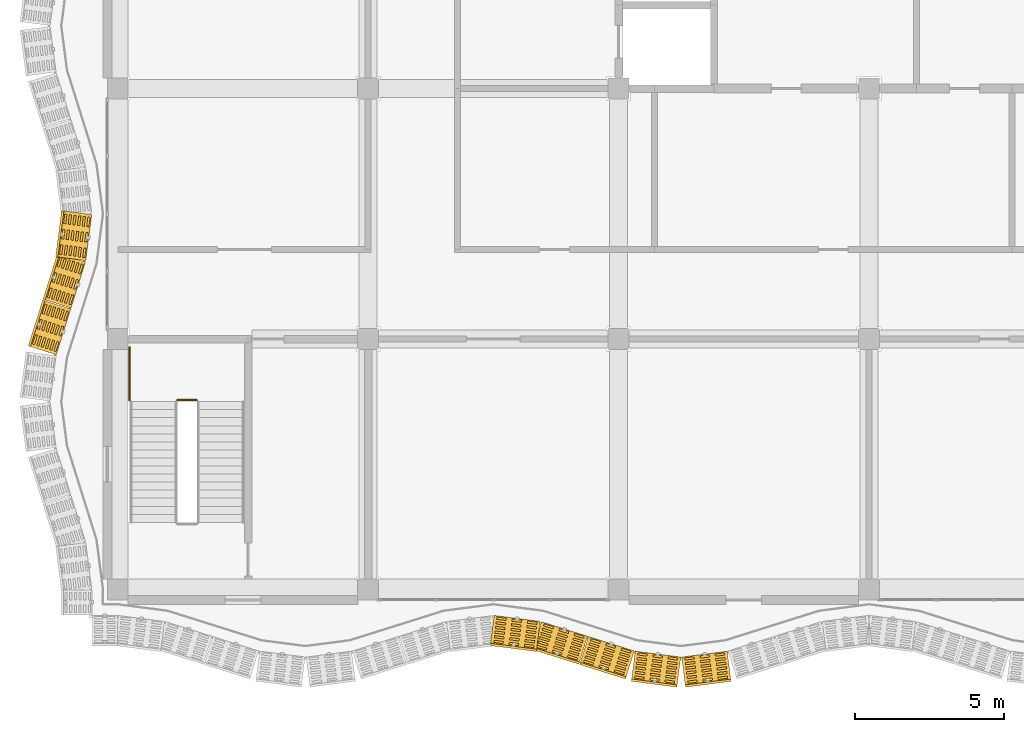
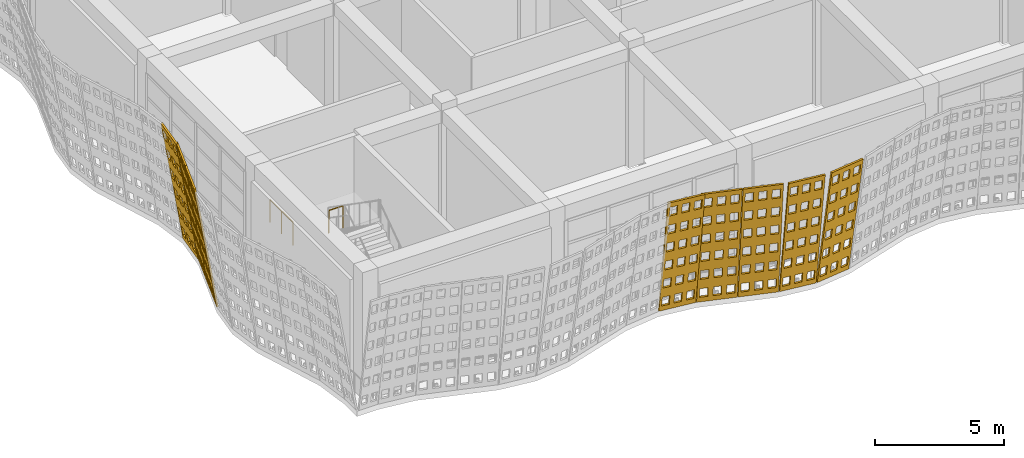
# One storey, part 150 of 210: 8 coverings, 2 railings.
"""IFC4 building model written with IfcOpenShell, lengths in metres."""

from ifc_helpers import new_model, si_unit, direction, frame, origin, origin_2d, place, context, subcontext, project, spatial, polyline, circle, outline, extrude, material, layer, layer_set, type_object, element, save


model = new_model("IFC4")

# Units and contexts
model_context = context("Model", 3, precision=1e-05, world=origin(), true_north=direction((0.0, 1.0)))
body_context = subcontext(model_context, "Body", "Model", "MODEL_VIEW")
ifc_project = project(units=[si_unit("LENGTHUNIT", "METRE"), si_unit("AREAUNIT", "SQUARE_METRE"), si_unit("VOLUMEUNIT", "CUBIC_METRE"), si_unit("PLANEANGLEUNIT", "RADIAN"), si_unit("MASSUNIT", "GRAM", prefix="KILO")], contexts=[model_context])

# Site, building, storey
site_placement = place(None, origin())
site = spatial("IfcSite", under=ifc_project, at=site_placement, CompositionType="ELEMENT")
building_placement = place(site_placement, origin())
building = spatial("IfcBuilding", under=site, at=building_placement, Name="Rain Tree Exposition and Congress Centre", CompositionType="ELEMENT")
storey_placement = place(building_placement, origin())
storey = spatial("IfcBuildingStorey", under=building, at=storey_placement, Name="L00", CompositionType="ELEMENT", Elevation=0.0)

# Coverings
ifc_material_1 = material(Name="Perforated terracotta", Category="masonry")
ifc_layer = layer(ifc_material_1, 0.080078125)
ifc_layer_set = layer_set([ifc_layer], Name="Perforated terracotta")
covering_type = type_object("IfcCoveringType", Name="Terracotta screen 80", PredefinedType="CLADDING", material=ifc_layer_set)
covering_1_placement = place(storey_placement, frame((12.60009765625, -0.949951171875, 0.0), z_axis=(0.125030801275, 0.978899688033, 0.161625182136), x_axis=(-0.991941518713, 0.126696580272, 0.0)))
element("IfcCovering", 1, at=covering_1_placement, inside=storey, type_object=covering_type, Name="wing/screen/L00/009", PredefinedType="CLADDING", context=body_context, shape_type="SweptSolid", body=[
    extrude(outline(polyline([(-1.5732421875, 0.0), (-1.5732421875, 5.813720703125), (-0.014892578125, 5.813720703125), (-0.014892578125, 0.0), (-1.5732421875, 0.0)]), holes=[polyline([(-0.11376953125, 0.25), (-0.11376953125, 0.718994140625), (-0.435791015625, 0.718994140625), (-0.435791015625, 0.25), (-0.11376953125, 0.25)]), polyline([(-0.11376953125, 1.218994140625), (-0.11376953125, 1.687744140625), (-0.435791015625, 1.687744140625), (-0.435791015625, 1.218994140625), (-0.11376953125, 1.218994140625)]), polyline([(-0.11376953125, 2.18798828125), (-0.11376953125, 2.65673828125), (-0.435791015625, 2.65673828125), (-0.435791015625, 2.18798828125), (-0.11376953125, 2.18798828125)]), polyline([(-0.11376953125, 3.15673828125), (-0.11376953125, 3.625732421875), (-0.435791015625, 3.625732421875), (-0.435791015625, 3.15673828125), (-0.11376953125, 3.15673828125)]), polyline([(-0.11376953125, 4.125732421875), (-0.11376953125, 4.594482421875), (-0.435791015625, 4.594482421875), (-0.435791015625, 4.125732421875), (-0.11376953125, 4.125732421875)]), polyline([(-0.11376953125, 5.0947265625), (-0.11376953125, 5.5634765625), (-0.435791015625, 5.5634765625), (-0.435791015625, 5.0947265625), (-0.11376953125, 5.0947265625)]), polyline([(-0.633056640625, 0.25), (-0.633056640625, 0.718994140625), (-0.955078125, 0.718994140625), (-0.955078125, 0.25), (-0.633056640625, 0.25)]), polyline([(-0.633056640625, 1.218994140625), (-0.633056640625, 1.687744140625), (-0.955078125, 1.687744140625), (-0.955078125, 1.218994140625), (-0.633056640625, 1.218994140625)]), polyline([(-0.633056640625, 2.18798828125), (-0.633056640625, 2.65673828125), (-0.955078125, 2.65673828125), (-0.955078125, 2.18798828125), (-0.633056640625, 2.18798828125)]), polyline([(-0.633056640625, 3.15673828125), (-0.633056640625, 3.625732421875), (-0.955078125, 3.625732421875), (-0.955078125, 3.15673828125), (-0.633056640625, 3.15673828125)]), polyline([(-0.633056640625, 4.125732421875), (-0.633056640625, 4.594482421875), (-0.955078125, 4.594482421875), (-0.955078125, 4.125732421875), (-0.633056640625, 4.125732421875)]), polyline([(-0.633056640625, 5.0947265625), (-0.633056640625, 5.5634765625), (-0.955078125, 5.5634765625), (-0.955078125, 5.0947265625), (-0.633056640625, 5.0947265625)]), polyline([(-1.152587890625, 0.25), (-1.152587890625, 0.718994140625), (-1.474609375, 0.718994140625), (-1.474609375, 0.25), (-1.152587890625, 0.25)]), polyline([(-1.152587890625, 1.218994140625), (-1.152587890625, 1.687744140625), (-1.474609375, 1.687744140625), (-1.474609375, 1.218994140625), (-1.152587890625, 1.218994140625)]), polyline([(-1.152587890625, 2.18798828125), (-1.152587890625, 2.65673828125), (-1.474609375, 2.65673828125), (-1.474609375, 2.18798828125), (-1.152587890625, 2.18798828125)]), polyline([(-1.152587890625, 3.15673828125), (-1.152587890625, 3.625732421875), (-1.474609375, 3.625732421875), (-1.474609375, 3.15673828125), (-1.152587890625, 3.15673828125)]), polyline([(-1.152587890625, 4.125732421875), (-1.152587890625, 4.594482421875), (-1.474609375, 4.594482421875), (-1.474609375, 4.125732421875), (-1.152587890625, 4.125732421875)]), polyline([(-1.152587890625, 5.0947265625), (-1.152587890625, 5.5634765625), (-1.474609375, 5.5634765625), (-1.474609375, 5.0947265625), (-1.152587890625, 5.0947265625)])]), origin(), (0.0, 0.0, 1.0), 0.080078125),
])
covering_2_placement = place(storey_placement, frame((14.175048828125, -1.155029296875, 0.0), z_axis=(0.295859611525, 0.942480618158, 0.155555053482), x_axis=(-0.954094597562, 0.29950542383, 0.0)))
element("IfcCovering", 2, at=covering_2_placement, inside=storey, type_object=covering_type, Name="wing/screen/L00/010", PredefinedType="CLADDING", context=body_context, shape_type="SweptSolid", body=[
    extrude(outline(polyline([(-1.635986328125, 0.0), (-1.635986328125, 5.808349609375), (-0.014892578125, 5.808349609375), (-0.014892578125, 0.0), (-1.635986328125, 0.0)]), holes=[polyline([(-0.11767578125, 0.249755859375), (-0.11767578125, 0.71826171875), (-0.45263671875, 0.71826171875), (-0.45263671875, 0.249755859375), (-0.11767578125, 0.249755859375)]), polyline([(-0.11767578125, 1.218017578125), (-0.11767578125, 1.686279296875), (-0.45263671875, 1.686279296875), (-0.45263671875, 1.218017578125), (-0.11767578125, 1.218017578125)]), polyline([(-0.11767578125, 2.18603515625), (-0.11767578125, 2.654296875), (-0.45263671875, 2.654296875), (-0.45263671875, 2.18603515625), (-0.11767578125, 2.18603515625)]), polyline([(-0.11767578125, 3.154052734375), (-0.11767578125, 3.62255859375), (-0.45263671875, 3.62255859375), (-0.45263671875, 3.154052734375), (-0.11767578125, 3.154052734375)]), polyline([(-0.11767578125, 4.1220703125), (-0.11767578125, 4.590576171875), (-0.45263671875, 4.590576171875), (-0.45263671875, 4.1220703125), (-0.11767578125, 4.1220703125)]), polyline([(-0.11767578125, 5.090087890625), (-0.11767578125, 5.55859375), (-0.45263671875, 5.55859375), (-0.45263671875, 5.090087890625), (-0.11767578125, 5.090087890625)]), polyline([(-0.657958984375, 0.249755859375), (-0.657958984375, 0.71826171875), (-0.992919921875, 0.71826171875), (-0.992919921875, 0.249755859375), (-0.657958984375, 0.249755859375)]), polyline([(-0.657958984375, 1.218017578125), (-0.657958984375, 1.686279296875), (-0.992919921875, 1.686279296875), (-0.992919921875, 1.218017578125), (-0.657958984375, 1.218017578125)]), polyline([(-0.657958984375, 2.18603515625), (-0.657958984375, 2.654296875), (-0.992919921875, 2.654296875), (-0.992919921875, 2.18603515625), (-0.657958984375, 2.18603515625)]), polyline([(-0.657958984375, 3.154052734375), (-0.657958984375, 3.62255859375), (-0.992919921875, 3.62255859375), (-0.992919921875, 3.154052734375), (-0.657958984375, 3.154052734375)]), polyline([(-0.657958984375, 4.1220703125), (-0.657958984375, 4.590576171875), (-0.992919921875, 4.590576171875), (-0.992919921875, 4.1220703125), (-0.657958984375, 4.1220703125)]), polyline([(-0.657958984375, 5.090087890625), (-0.657958984375, 5.55859375), (-0.992919921875, 5.55859375), (-0.992919921875, 5.090087890625), (-0.657958984375, 5.090087890625)]), polyline([(-1.1982421875, 0.249755859375), (-1.1982421875, 0.71826171875), (-1.533203125, 0.71826171875), (-1.533203125, 0.249755859375), (-1.1982421875, 0.249755859375)]), polyline([(-1.1982421875, 1.218017578125), (-1.1982421875, 1.686279296875), (-1.533203125, 1.686279296875), (-1.533203125, 1.218017578125), (-1.1982421875, 1.218017578125)]), polyline([(-1.1982421875, 2.18603515625), (-1.1982421875, 2.654296875), (-1.533203125, 2.654296875), (-1.533203125, 2.18603515625), (-1.1982421875, 2.18603515625)]), polyline([(-1.1982421875, 3.154052734375), (-1.1982421875, 3.62255859375), (-1.533203125, 3.62255859375), (-1.533203125, 3.154052734375), (-1.1982421875, 3.154052734375)]), polyline([(-1.1982421875, 4.1220703125), (-1.1982421875, 4.590576171875), (-1.533203125, 4.590576171875), (-1.533203125, 4.1220703125), (-1.1982421875, 4.1220703125)]), polyline([(-1.1982421875, 5.090087890625), (-1.1982421875, 5.55859375), (-1.533203125, 5.55859375), (-1.533203125, 5.090087890625), (-1.1982421875, 5.090087890625)])]), origin(), (0.0, 0.0, 1.0), 0.080078125),
])
covering_3_placement = place(storey_placement, frame((15.75, -1.64990234375, 0.0), z_axis=(0.296712403937, 0.94213835477, 0.156003428874), x_axis=(-0.953816392794, 0.300390227601, 0.0)))
element("IfcCovering", 3, at=covering_3_placement, inside=storey, type_object=covering_type, Name="wing/screen/L00/011", PredefinedType="CLADDING", context=body_context, shape_type="SweptSolid", body=[
    extrude(outline(polyline([(-1.62890625, 0.0), (-1.62890625, 5.808349609375), (-0.014892578125, 5.808349609375), (-0.014892578125, 0.0), (-1.62890625, 0.0)]), holes=[polyline([(-0.1171875, 0.249755859375), (-0.1171875, 0.71826171875), (-0.45068359375, 0.71826171875), (-0.45068359375, 0.249755859375), (-0.1171875, 0.249755859375)]), polyline([(-0.1171875, 1.218017578125), (-0.1171875, 1.686279296875), (-0.45068359375, 1.686279296875), (-0.45068359375, 1.218017578125), (-0.1171875, 1.218017578125)]), polyline([(-0.1171875, 2.18603515625), (-0.1171875, 2.654296875), (-0.45068359375, 2.654296875), (-0.45068359375, 2.18603515625), (-0.1171875, 2.18603515625)]), polyline([(-0.1171875, 3.154052734375), (-0.1171875, 3.62255859375), (-0.45068359375, 3.62255859375), (-0.45068359375, 3.154052734375), (-0.1171875, 3.154052734375)]), polyline([(-0.1171875, 4.1220703125), (-0.1171875, 4.590576171875), (-0.45068359375, 4.590576171875), (-0.45068359375, 4.1220703125), (-0.1171875, 4.1220703125)]), polyline([(-0.1171875, 5.090087890625), (-0.1171875, 5.55859375), (-0.45068359375, 5.55859375), (-0.45068359375, 5.090087890625), (-0.1171875, 5.090087890625)]), polyline([(-0.6552734375, 0.249755859375), (-0.6552734375, 0.71826171875), (-0.98876953125, 0.71826171875), (-0.98876953125, 0.249755859375), (-0.6552734375, 0.249755859375)]), polyline([(-0.6552734375, 1.218017578125), (-0.6552734375, 1.686279296875), (-0.98876953125, 1.686279296875), (-0.98876953125, 1.218017578125), (-0.6552734375, 1.218017578125)]), polyline([(-0.6552734375, 2.18603515625), (-0.6552734375, 2.654296875), (-0.98876953125, 2.654296875), (-0.98876953125, 2.18603515625), (-0.6552734375, 2.18603515625)]), polyline([(-0.6552734375, 3.154052734375), (-0.6552734375, 3.62255859375), (-0.98876953125, 3.62255859375), (-0.98876953125, 3.154052734375), (-0.6552734375, 3.154052734375)]), polyline([(-0.6552734375, 4.1220703125), (-0.6552734375, 4.590576171875), (-0.98876953125, 4.590576171875), (-0.98876953125, 4.1220703125), (-0.6552734375, 4.1220703125)]), polyline([(-0.6552734375, 5.090087890625), (-0.6552734375, 5.55859375), (-0.98876953125, 5.55859375), (-0.98876953125, 5.090087890625), (-0.6552734375, 5.090087890625)]), polyline([(-1.193115234375, 0.249755859375), (-1.193115234375, 0.71826171875), (-1.526611328125, 0.71826171875), (-1.526611328125, 0.249755859375), (-1.193115234375, 0.249755859375)]), polyline([(-1.193115234375, 1.218017578125), (-1.193115234375, 1.686279296875), (-1.526611328125, 1.686279296875), (-1.526611328125, 1.218017578125), (-1.193115234375, 1.218017578125)]), polyline([(-1.193115234375, 2.18603515625), (-1.193115234375, 2.654296875), (-1.526611328125, 2.654296875), (-1.526611328125, 2.18603515625), (-1.193115234375, 2.18603515625)]), polyline([(-1.193115234375, 3.154052734375), (-1.193115234375, 3.62255859375), (-1.526611328125, 3.62255859375), (-1.526611328125, 3.154052734375), (-1.193115234375, 3.154052734375)]), polyline([(-1.193115234375, 4.1220703125), (-1.193115234375, 4.590576171875), (-1.526611328125, 4.590576171875), (-1.526611328125, 4.1220703125), (-1.193115234375, 4.1220703125)]), polyline([(-1.193115234375, 5.090087890625), (-1.193115234375, 5.55859375), (-1.526611328125, 5.55859375), (-1.526611328125, 5.090087890625), (-1.193115234375, 5.090087890625)])]), origin(), (0.0, 0.0, 1.0), 0.079833984375),
])
covering_4_placement = place(storey_placement, frame((17.324951171875, -2.14501953125, 0.0), z_axis=(0.1280309309, 0.978522114732, 0.161562841373), x_axis=(-0.991548658387, 0.129735338481, 0.0)))
element("IfcCovering", 4, at=covering_4_placement, inside=storey, type_object=covering_type, Name="wing/screen/L00/012", PredefinedType="CLADDING", context=body_context, shape_type="SweptSolid", body=[
    extrude(outline(polyline([(-1.56298828125, 0.0), (-1.56298828125, 5.813720703125), (-0.02197265625, 5.813720703125), (-0.02197265625, 0.0), (-1.56298828125, 0.0)]), holes=[polyline([(-0.11962890625, 0.25), (-0.11962890625, 0.718994140625), (-0.43798828125, 0.718994140625), (-0.43798828125, 0.25), (-0.11962890625, 0.25)]), polyline([(-0.11962890625, 1.218994140625), (-0.11962890625, 1.687744140625), (-0.43798828125, 1.687744140625), (-0.43798828125, 1.218994140625), (-0.11962890625, 1.218994140625)]), polyline([(-0.11962890625, 2.18798828125), (-0.11962890625, 2.65673828125), (-0.43798828125, 2.65673828125), (-0.43798828125, 2.18798828125), (-0.11962890625, 2.18798828125)]), polyline([(-0.11962890625, 3.15673828125), (-0.11962890625, 3.625732421875), (-0.43798828125, 3.625732421875), (-0.43798828125, 3.15673828125), (-0.11962890625, 3.15673828125)]), polyline([(-0.11962890625, 4.125732421875), (-0.11962890625, 4.594482421875), (-0.43798828125, 4.594482421875), (-0.43798828125, 4.125732421875), (-0.11962890625, 4.125732421875)]), polyline([(-0.11962890625, 5.0947265625), (-0.11962890625, 5.5634765625), (-0.43798828125, 5.5634765625), (-0.43798828125, 5.0947265625), (-0.11962890625, 5.0947265625)]), polyline([(-0.63330078125, 0.25), (-0.63330078125, 0.718994140625), (-0.95166015625, 0.718994140625), (-0.95166015625, 0.25), (-0.63330078125, 0.25)]), polyline([(-0.63330078125, 1.218994140625), (-0.63330078125, 1.687744140625), (-0.95166015625, 1.687744140625), (-0.95166015625, 1.218994140625), (-0.63330078125, 1.218994140625)]), polyline([(-0.63330078125, 2.18798828125), (-0.63330078125, 2.65673828125), (-0.95166015625, 2.65673828125), (-0.95166015625, 2.18798828125), (-0.63330078125, 2.18798828125)]), polyline([(-0.63330078125, 3.15673828125), (-0.63330078125, 3.625732421875), (-0.95166015625, 3.625732421875), (-0.95166015625, 3.15673828125), (-0.63330078125, 3.15673828125)]), polyline([(-0.63330078125, 4.125732421875), (-0.63330078125, 4.594482421875), (-0.95166015625, 4.594482421875), (-0.95166015625, 4.125732421875), (-0.63330078125, 4.125732421875)]), polyline([(-0.63330078125, 5.0947265625), (-0.63330078125, 5.5634765625), (-0.95166015625, 5.5634765625), (-0.95166015625, 5.0947265625), (-0.63330078125, 5.0947265625)]), polyline([(-1.146728515625, 0.25), (-1.146728515625, 0.718994140625), (-1.46533203125, 0.718994140625), (-1.46533203125, 0.25), (-1.146728515625, 0.25)]), polyline([(-1.146728515625, 1.218994140625), (-1.146728515625, 1.687744140625), (-1.46533203125, 1.687744140625), (-1.46533203125, 1.218994140625), (-1.146728515625, 1.218994140625)]), polyline([(-1.146728515625, 2.18798828125), (-1.146728515625, 2.65673828125), (-1.46533203125, 2.65673828125), (-1.46533203125, 2.18798828125), (-1.146728515625, 2.18798828125)]), polyline([(-1.146728515625, 3.15673828125), (-1.146728515625, 3.625732421875), (-1.46533203125, 3.625732421875), (-1.46533203125, 3.15673828125), (-1.146728515625, 3.15673828125)]), polyline([(-1.146728515625, 4.125732421875), (-1.146728515625, 4.594482421875), (-1.46533203125, 4.594482421875), (-1.46533203125, 4.125732421875), (-1.146728515625, 4.125732421875)]), polyline([(-1.146728515625, 5.0947265625), (-1.146728515625, 5.5634765625), (-1.46533203125, 5.5634765625), (-1.46533203125, 5.0947265625), (-1.146728515625, 5.0947265625)])]), origin(), (0.0, 0.0, 1.0), 0.080078125),
])
covering_5_placement = place(storey_placement, frame((18.89990234375, -2.35009765625, 0.0), z_axis=(-0.125030801275, 0.978899688033, 0.161625182136), x_axis=(-0.991941518713, -0.126696580272, 0.0)))
element("IfcCovering", 5, at=covering_5_placement, inside=storey, type_object=covering_type, Name="wing/screen/L00/013", PredefinedType="CLADDING", context=body_context, shape_type="SweptSolid", body=[
    extrude(outline(polyline([(-1.56640625, 0.0), (-1.56640625, 5.813720703125), (-0.025390625, 5.813720703125), (-0.025390625, 0.0), (-1.56640625, 0.0)]), holes=[polyline([(-0.123046875, 0.25), (-0.123046875, 0.718994140625), (-0.44140625, 0.718994140625), (-0.44140625, 0.25), (-0.123046875, 0.25)]), polyline([(-0.123046875, 1.218994140625), (-0.123046875, 1.687744140625), (-0.44140625, 1.687744140625), (-0.44140625, 1.218994140625), (-0.123046875, 1.218994140625)]), polyline([(-0.123046875, 2.18798828125), (-0.123046875, 2.65673828125), (-0.44140625, 2.65673828125), (-0.44140625, 2.18798828125), (-0.123046875, 2.18798828125)]), polyline([(-0.123046875, 3.15673828125), (-0.123046875, 3.625732421875), (-0.44140625, 3.625732421875), (-0.44140625, 3.15673828125), (-0.123046875, 3.15673828125)]), polyline([(-0.123046875, 4.125732421875), (-0.123046875, 4.594482421875), (-0.44140625, 4.594482421875), (-0.44140625, 4.125732421875), (-0.123046875, 4.125732421875)]), polyline([(-0.123046875, 5.0947265625), (-0.123046875, 5.5634765625), (-0.44140625, 5.5634765625), (-0.44140625, 5.0947265625), (-0.123046875, 5.0947265625)]), polyline([(-0.63671875, 0.25), (-0.63671875, 0.718994140625), (-0.955078125, 0.718994140625), (-0.955078125, 0.25), (-0.63671875, 0.25)]), polyline([(-0.63671875, 1.218994140625), (-0.63671875, 1.687744140625), (-0.955078125, 1.687744140625), (-0.955078125, 1.218994140625), (-0.63671875, 1.218994140625)]), polyline([(-0.63671875, 2.18798828125), (-0.63671875, 2.65673828125), (-0.955078125, 2.65673828125), (-0.955078125, 2.18798828125), (-0.63671875, 2.18798828125)]), polyline([(-0.63671875, 3.15673828125), (-0.63671875, 3.625732421875), (-0.955078125, 3.625732421875), (-0.955078125, 3.15673828125), (-0.63671875, 3.15673828125)]), polyline([(-0.63671875, 4.125732421875), (-0.63671875, 4.594482421875), (-0.955078125, 4.594482421875), (-0.955078125, 4.125732421875), (-0.63671875, 4.125732421875)]), polyline([(-0.63671875, 5.0947265625), (-0.63671875, 5.5634765625), (-0.955078125, 5.5634765625), (-0.955078125, 5.0947265625), (-0.63671875, 5.0947265625)]), polyline([(-1.150146484375, 0.25), (-1.150146484375, 0.718994140625), (-1.46875, 0.718994140625), (-1.46875, 0.25), (-1.150146484375, 0.25)]), polyline([(-1.150146484375, 1.218994140625), (-1.150146484375, 1.687744140625), (-1.46875, 1.687744140625), (-1.46875, 1.218994140625), (-1.150146484375, 1.218994140625)]), polyline([(-1.150146484375, 2.18798828125), (-1.150146484375, 2.65673828125), (-1.46875, 2.65673828125), (-1.46875, 2.18798828125), (-1.150146484375, 2.18798828125)]), polyline([(-1.150146484375, 3.15673828125), (-1.150146484375, 3.625732421875), (-1.46875, 3.625732421875), (-1.46875, 3.15673828125), (-1.150146484375, 3.15673828125)]), polyline([(-1.150146484375, 4.125732421875), (-1.150146484375, 4.594482421875), (-1.46875, 4.594482421875), (-1.46875, 4.125732421875), (-1.150146484375, 4.125732421875)]), polyline([(-1.150146484375, 5.0947265625), (-1.150146484375, 5.5634765625), (-1.46875, 5.5634765625), (-1.46875, 5.0947265625), (-1.150146484375, 5.0947265625)])]), origin(), (0.0, 0.0, 1.0), 0.080078125),
])
covering_6_placement = place(storey_placement, frame((-0.949951171875, 12.60009765625, 0.0), z_axis=(0.978522114732, -0.1280309309, 0.161562841373), x_axis=(0.129735338481, 0.991548658387, 0.0)))
element("IfcCovering", 6, at=covering_6_placement, inside=storey, type_object=covering_type, Name="wing/screen/L00/127", PredefinedType="CLADDING", context=body_context, shape_type="SweptSolid", body=[
    extrude(outline(polyline([(-1.5732421875, 0.0), (-1.5732421875, 5.813720703125), (-0.014892578125, 5.813720703125), (-0.014892578125, 0.0), (-1.5732421875, 0.0)]), holes=[polyline([(-0.11376953125, 0.25), (-0.11376953125, 0.718994140625), (-0.435791015625, 0.718994140625), (-0.435791015625, 0.25), (-0.11376953125, 0.25)]), polyline([(-0.11376953125, 1.218994140625), (-0.11376953125, 1.687744140625), (-0.435791015625, 1.687744140625), (-0.435791015625, 1.218994140625), (-0.11376953125, 1.218994140625)]), polyline([(-0.11376953125, 2.18798828125), (-0.11376953125, 2.65673828125), (-0.435791015625, 2.65673828125), (-0.435791015625, 2.18798828125), (-0.11376953125, 2.18798828125)]), polyline([(-0.11376953125, 3.15673828125), (-0.11376953125, 3.625732421875), (-0.435791015625, 3.625732421875), (-0.435791015625, 3.15673828125), (-0.11376953125, 3.15673828125)]), polyline([(-0.11376953125, 4.125732421875), (-0.11376953125, 4.594482421875), (-0.435791015625, 4.594482421875), (-0.435791015625, 4.125732421875), (-0.11376953125, 4.125732421875)]), polyline([(-0.11376953125, 5.0947265625), (-0.11376953125, 5.5634765625), (-0.435791015625, 5.5634765625), (-0.435791015625, 5.0947265625), (-0.11376953125, 5.0947265625)]), polyline([(-0.633056640625, 0.25), (-0.633056640625, 0.718994140625), (-0.955078125, 0.718994140625), (-0.955078125, 0.25), (-0.633056640625, 0.25)]), polyline([(-0.633056640625, 1.218994140625), (-0.633056640625, 1.687744140625), (-0.955078125, 1.687744140625), (-0.955078125, 1.218994140625), (-0.633056640625, 1.218994140625)]), polyline([(-0.633056640625, 2.18798828125), (-0.633056640625, 2.65673828125), (-0.955078125, 2.65673828125), (-0.955078125, 2.18798828125), (-0.633056640625, 2.18798828125)]), polyline([(-0.633056640625, 3.15673828125), (-0.633056640625, 3.625732421875), (-0.955078125, 3.625732421875), (-0.955078125, 3.15673828125), (-0.633056640625, 3.15673828125)]), polyline([(-0.633056640625, 4.125732421875), (-0.633056640625, 4.594482421875), (-0.955078125, 4.594482421875), (-0.955078125, 4.125732421875), (-0.633056640625, 4.125732421875)]), polyline([(-0.633056640625, 5.0947265625), (-0.633056640625, 5.5634765625), (-0.955078125, 5.5634765625), (-0.955078125, 5.0947265625), (-0.633056640625, 5.0947265625)]), polyline([(-1.152587890625, 0.25), (-1.152587890625, 0.718994140625), (-1.474609375, 0.718994140625), (-1.474609375, 0.25), (-1.152587890625, 0.25)]), polyline([(-1.152587890625, 1.218994140625), (-1.152587890625, 1.687744140625), (-1.474609375, 1.687744140625), (-1.474609375, 1.218994140625), (-1.152587890625, 1.218994140625)]), polyline([(-1.152587890625, 2.18798828125), (-1.152587890625, 2.65673828125), (-1.474609375, 2.65673828125), (-1.474609375, 2.18798828125), (-1.152587890625, 2.18798828125)]), polyline([(-1.152587890625, 3.15673828125), (-1.152587890625, 3.625732421875), (-1.474609375, 3.625732421875), (-1.474609375, 3.15673828125), (-1.152587890625, 3.15673828125)]), polyline([(-1.152587890625, 4.125732421875), (-1.152587890625, 4.594482421875), (-1.474609375, 4.594482421875), (-1.474609375, 4.125732421875), (-1.152587890625, 4.125732421875)]), polyline([(-1.152587890625, 5.0947265625), (-1.152587890625, 5.5634765625), (-1.474609375, 5.5634765625), (-1.474609375, 5.0947265625), (-1.152587890625, 5.0947265625)])]), origin(), (0.0, 0.0, 1.0), 0.080078125),
])
covering_7_placement = place(storey_placement, frame((-1.155029296875, 11.02490234375, 0.0), z_axis=(0.942480618158, -0.295859611525, 0.155555053482), x_axis=(0.29950542383, 0.954094597562, 0.0)))
element("IfcCovering", 7, at=covering_7_placement, inside=storey, type_object=covering_type, Name="wing/screen/L00/128", PredefinedType="CLADDING", context=body_context, shape_type="SweptSolid", body=[
    extrude(outline(polyline([(-1.635986328125, 0.0), (-1.635986328125, 5.808349609375), (-0.014892578125, 5.808349609375), (-0.014892578125, 0.0), (-1.635986328125, 0.0)]), holes=[polyline([(-0.11767578125, 0.249755859375), (-0.11767578125, 0.71826171875), (-0.45263671875, 0.71826171875), (-0.45263671875, 0.249755859375), (-0.11767578125, 0.249755859375)]), polyline([(-0.11767578125, 1.218017578125), (-0.11767578125, 1.686279296875), (-0.45263671875, 1.686279296875), (-0.45263671875, 1.218017578125), (-0.11767578125, 1.218017578125)]), polyline([(-0.11767578125, 2.18603515625), (-0.11767578125, 2.654296875), (-0.45263671875, 2.654296875), (-0.45263671875, 2.18603515625), (-0.11767578125, 2.18603515625)]), polyline([(-0.11767578125, 3.154052734375), (-0.11767578125, 3.62255859375), (-0.45263671875, 3.62255859375), (-0.45263671875, 3.154052734375), (-0.11767578125, 3.154052734375)]), polyline([(-0.11767578125, 4.1220703125), (-0.11767578125, 4.590576171875), (-0.45263671875, 4.590576171875), (-0.45263671875, 4.1220703125), (-0.11767578125, 4.1220703125)]), polyline([(-0.11767578125, 5.090087890625), (-0.11767578125, 5.55859375), (-0.45263671875, 5.55859375), (-0.45263671875, 5.090087890625), (-0.11767578125, 5.090087890625)]), polyline([(-0.657958984375, 0.249755859375), (-0.657958984375, 0.71826171875), (-0.992919921875, 0.71826171875), (-0.992919921875, 0.249755859375), (-0.657958984375, 0.249755859375)]), polyline([(-0.657958984375, 1.218017578125), (-0.657958984375, 1.686279296875), (-0.992919921875, 1.686279296875), (-0.992919921875, 1.218017578125), (-0.657958984375, 1.218017578125)]), polyline([(-0.657958984375, 2.18603515625), (-0.657958984375, 2.654296875), (-0.992919921875, 2.654296875), (-0.992919921875, 2.18603515625), (-0.657958984375, 2.18603515625)]), polyline([(-0.657958984375, 3.154052734375), (-0.657958984375, 3.62255859375), (-0.992919921875, 3.62255859375), (-0.992919921875, 3.154052734375), (-0.657958984375, 3.154052734375)]), polyline([(-0.657958984375, 4.1220703125), (-0.657958984375, 4.590576171875), (-0.992919921875, 4.590576171875), (-0.992919921875, 4.1220703125), (-0.657958984375, 4.1220703125)]), polyline([(-0.657958984375, 5.090087890625), (-0.657958984375, 5.55859375), (-0.992919921875, 5.55859375), (-0.992919921875, 5.090087890625), (-0.657958984375, 5.090087890625)]), polyline([(-1.1982421875, 0.249755859375), (-1.1982421875, 0.71826171875), (-1.533203125, 0.71826171875), (-1.533203125, 0.249755859375), (-1.1982421875, 0.249755859375)]), polyline([(-1.1982421875, 1.218017578125), (-1.1982421875, 1.686279296875), (-1.533203125, 1.686279296875), (-1.533203125, 1.218017578125), (-1.1982421875, 1.218017578125)]), polyline([(-1.1982421875, 2.18603515625), (-1.1982421875, 2.654296875), (-1.533203125, 2.654296875), (-1.533203125, 2.18603515625), (-1.1982421875, 2.18603515625)]), polyline([(-1.1982421875, 3.154052734375), (-1.1982421875, 3.62255859375), (-1.533203125, 3.62255859375), (-1.533203125, 3.154052734375), (-1.1982421875, 3.154052734375)]), polyline([(-1.1982421875, 4.1220703125), (-1.1982421875, 4.590576171875), (-1.533203125, 4.590576171875), (-1.533203125, 4.1220703125), (-1.1982421875, 4.1220703125)]), polyline([(-1.1982421875, 5.090087890625), (-1.1982421875, 5.55859375), (-1.533203125, 5.55859375), (-1.533203125, 5.090087890625), (-1.1982421875, 5.090087890625)])]), origin(), (0.0, 0.0, 1.0), 0.080078125),
])
covering_8_placement = place(storey_placement, frame((-1.64990234375, 9.449951171875, 0.0), z_axis=(0.94213835477, -0.296712403937, 0.156003428874), x_axis=(0.300390227601, 0.953816392794, 0.0)))
element("IfcCovering", 8, at=covering_8_placement, inside=storey, type_object=covering_type, Name="wing/screen/L00/129", PredefinedType="CLADDING", context=body_context, shape_type="SweptSolid", body=[
    extrude(outline(polyline([(-1.62890625, 0.0), (-1.62890625, 5.808349609375), (-0.014892578125, 5.808349609375), (-0.014892578125, 0.0), (-1.62890625, 0.0)]), holes=[polyline([(-0.1171875, 0.249755859375), (-0.1171875, 0.71826171875), (-0.45068359375, 0.71826171875), (-0.45068359375, 0.249755859375), (-0.1171875, 0.249755859375)]), polyline([(-0.1171875, 1.218017578125), (-0.1171875, 1.686279296875), (-0.45068359375, 1.686279296875), (-0.45068359375, 1.218017578125), (-0.1171875, 1.218017578125)]), polyline([(-0.1171875, 2.18603515625), (-0.1171875, 2.654296875), (-0.45068359375, 2.654296875), (-0.45068359375, 2.18603515625), (-0.1171875, 2.18603515625)]), polyline([(-0.1171875, 3.154052734375), (-0.1171875, 3.62255859375), (-0.45068359375, 3.62255859375), (-0.45068359375, 3.154052734375), (-0.1171875, 3.154052734375)]), polyline([(-0.1171875, 4.1220703125), (-0.1171875, 4.590576171875), (-0.45068359375, 4.590576171875), (-0.45068359375, 4.1220703125), (-0.1171875, 4.1220703125)]), polyline([(-0.1171875, 5.090087890625), (-0.1171875, 5.55859375), (-0.45068359375, 5.55859375), (-0.45068359375, 5.090087890625), (-0.1171875, 5.090087890625)]), polyline([(-0.6552734375, 0.249755859375), (-0.6552734375, 0.71826171875), (-0.98876953125, 0.71826171875), (-0.98876953125, 0.249755859375), (-0.6552734375, 0.249755859375)]), polyline([(-0.6552734375, 1.218017578125), (-0.6552734375, 1.686279296875), (-0.98876953125, 1.686279296875), (-0.98876953125, 1.218017578125), (-0.6552734375, 1.218017578125)]), polyline([(-0.6552734375, 2.18603515625), (-0.6552734375, 2.654296875), (-0.98876953125, 2.654296875), (-0.98876953125, 2.18603515625), (-0.6552734375, 2.18603515625)]), polyline([(-0.6552734375, 3.154052734375), (-0.6552734375, 3.62255859375), (-0.98876953125, 3.62255859375), (-0.98876953125, 3.154052734375), (-0.6552734375, 3.154052734375)]), polyline([(-0.6552734375, 4.1220703125), (-0.6552734375, 4.590576171875), (-0.98876953125, 4.590576171875), (-0.98876953125, 4.1220703125), (-0.6552734375, 4.1220703125)]), polyline([(-0.6552734375, 5.090087890625), (-0.6552734375, 5.55859375), (-0.98876953125, 5.55859375), (-0.98876953125, 5.090087890625), (-0.6552734375, 5.090087890625)]), polyline([(-1.193115234375, 0.249755859375), (-1.193115234375, 0.71826171875), (-1.526611328125, 0.71826171875), (-1.526611328125, 0.249755859375), (-1.193115234375, 0.249755859375)]), polyline([(-1.193115234375, 1.218017578125), (-1.193115234375, 1.686279296875), (-1.526611328125, 1.686279296875), (-1.526611328125, 1.218017578125), (-1.193115234375, 1.218017578125)]), polyline([(-1.193115234375, 2.18603515625), (-1.193115234375, 2.654296875), (-1.526611328125, 2.654296875), (-1.526611328125, 2.18603515625), (-1.193115234375, 2.18603515625)]), polyline([(-1.193115234375, 3.154052734375), (-1.193115234375, 3.62255859375), (-1.526611328125, 3.62255859375), (-1.526611328125, 3.154052734375), (-1.193115234375, 3.154052734375)]), polyline([(-1.193115234375, 4.1220703125), (-1.193115234375, 4.590576171875), (-1.526611328125, 4.590576171875), (-1.526611328125, 4.1220703125), (-1.193115234375, 4.1220703125)]), polyline([(-1.193115234375, 5.090087890625), (-1.193115234375, 5.55859375), (-1.526611328125, 5.55859375), (-1.526611328125, 5.090087890625), (-1.193115234375, 5.090087890625)])]), origin(), (0.0, 0.0, 1.0), 0.079833984375),
])

# Railings
ifc_material_2 = material(Name="Steel S355J2H", Category="steel")
railing_type = type_object("IfcRailingType", Name="Wing stair guard 1100", PredefinedType="GUARDRAIL", material=ifc_material_2)
railing_1_placement = place(storey_placement, frame((2.64990234375, 6.35009765625, 3.0)))
element("IfcRailing", 9, at=railing_1_placement, inside=storey, type_object=railing_type, Name="L00 ST-W1 stair guard 2", PredefinedType="GUARDRAIL", context=body_context, shape_type="SweptSolid", body=[
    extrude(circle(Radius=0.02392578125, at=origin_2d()), frame((0.0, 0.0, 1.076171875), z_axis=(-1.0, 0.0, 0.0), x_axis=(0.0, -1.0, 0.0)), (0.0, 0.0, 1.0), 0.64990234375),
    extrude(circle(Radius=0.02099609375, at=origin_2d()), origin(), (0.0, 0.0, 1.0), 1.052001953125),
    extrude(circle(Radius=0.02099609375, at=origin_2d()), frame((-0.64990234375, 0.0, 0.0)), (0.0, 0.0, 1.0), 1.052001953125),
])
railing_2_placement = place(storey_placement, frame((0.39697265625, 6.35009765625, 3.0)))
element("IfcRailing", 10, at=railing_2_placement, inside=storey, type_object=railing_type, Name="wing/stair/ST-W1-L00-LG1", PredefinedType="GUARDRAIL", context=body_context, shape_type="SweptSolid", body=[
    extrude(circle(Radius=0.02392578125, at=origin_2d()), frame((0.0, 0.0, 1.076171875), z_axis=(0.0, 1.0, 0.0), x_axis=(-1.0, 0.0, 0.0)), (0.0, 0.0, 1.0), 1.77783203125),
    extrude(circle(Radius=0.02099609375, at=origin_2d()), origin(), (0.0, 0.0, 1.0), 1.052001953125),
    extrude(circle(Radius=0.02099609375, at=origin_2d()), frame((0.0, 0.888916015625, 0.0)), (0.0, 0.0, 1.0), 1.052001953125),
    extrude(circle(Radius=0.02099609375, at=origin_2d()), frame((0.0, 1.77783203125, 0.0)), (0.0, 0.0, 1.0), 1.052001953125),
])

save(model, "model.ifc")
